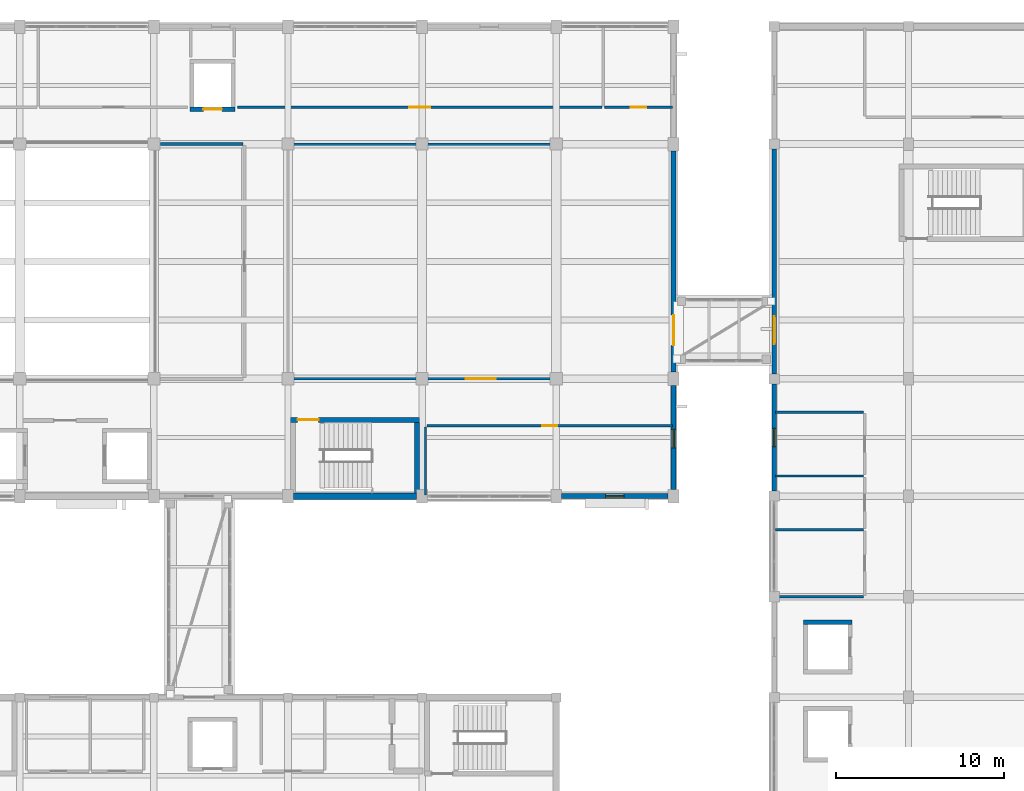
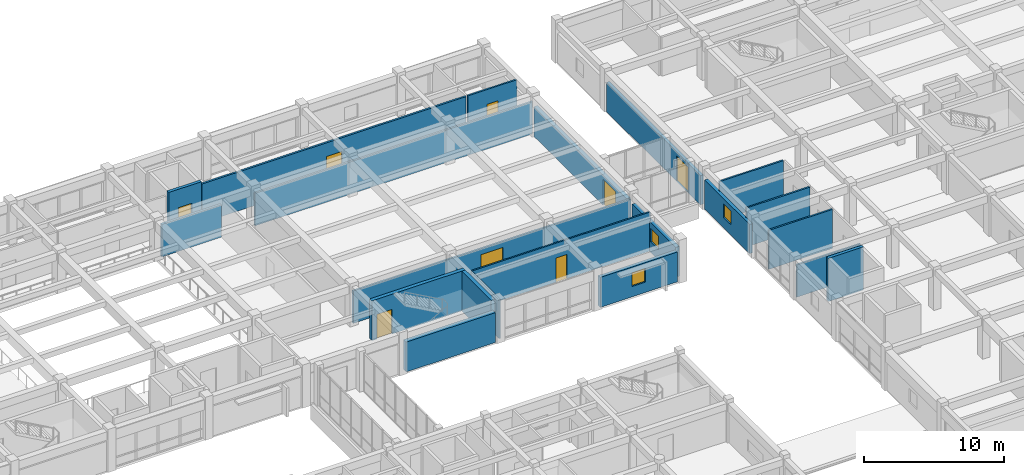
# One storey, part 30 of 42: 21 walls, 8 doors, 3 windows, 11 openings.
"""IFC4 building model written with IfcOpenShell, lengths in metres."""

from ifc_helpers import new_model, si_unit, direction, frame, frame_2d, origin, place, context, subcontext, project, spatial, rectangle, extrude, material, layer, layer_set, type_object, element, fill, save


model = new_model("IFC4")

# Units and contexts
model_context = context("Model", 3, precision=1e-05, world=origin(), true_north=direction((0.0, 1.0)))
body_context = subcontext(model_context, "Body", "Model", "MODEL_VIEW")
ifc_project = project(units=[si_unit("LENGTHUNIT", "METRE"), si_unit("AREAUNIT", "SQUARE_METRE"), si_unit("VOLUMEUNIT", "CUBIC_METRE"), si_unit("PLANEANGLEUNIT", "RADIAN"), si_unit("MASSUNIT", "GRAM", prefix="KILO")], contexts=[model_context])

# Site, building, storey
site_placement = place(None, origin())
site = spatial("IfcSite", under=ifc_project, at=site_placement, CompositionType="ELEMENT")
building_placement = place(site_placement, origin())
building = spatial("IfcBuilding", under=site, at=building_placement, Name="Naurynzar Civic Courthouse", CompositionType="ELEMENT")
storey_placement = place(building_placement, frame((0.0, 0.0, 18.300048828125)))
storey = spatial("IfcBuildingStorey", under=building, at=storey_placement, Name="L05", CompositionType="ELEMENT", Elevation=18.300048828125)

# Wall, opening, door
ifc_material_1 = material(Name="Acoustic Double-Stud Gypsum Partition")
ifc_layer_1 = layer(ifc_material_1, 0.14501953125)
ifc_layer_set_1 = layer_set([ifc_layer_1], Name="WL-ACOUSTIC-145")
wall_type_1 = type_object("IfcWallType", Name="WL-ACOUSTIC-145", PredefinedType="PARTITIONING", material=ifc_layer_set_1)
wall_1_placement = place(storey_placement, frame((101.080078125, 51.0, 0.0), z_axis=(0.0, 0.0, 1.0), x_axis=(1.0, 0.0, 0.0)))
wall_1 = element("IfcWall", 1, at=wall_1_placement, inside=storey, type_object=wall_type_1, Name="V2 interior partition L05.600", PredefinedType="PARTITIONING", context=body_context, shape_type="SweptSolid", body=[
    extrude(rectangle(XDim=22.83984375, YDim=0.14501953125, at=frame_2d((11.419921875, 0.0))), origin(), (0.0, 0.0, 1.0), 2.820068359375),
])
opening_1_placement = place(wall_1_placement, frame((10.52001953125, 0.0, 0.0)))
opening_1 = element("IfcOpeningElement", 2, at=opening_1_placement, cuts=wall_1, Name="Opening D-156", PredefinedType="OPENING", context=body_context, shape_type="SweptSolid", body=[
    extrude(rectangle(XDim=1.800048828125, YDim=2.300048828125, at=frame_2d((0.89990234375, 1.14990234375))), frame((0.0, 0.08251953125, 0.0), z_axis=(0.0, -1.0, 0.0), x_axis=(1.0, 0.0, 0.0)), (0.0, 0.0, 1.0), 0.1650390625),
])
ifc_material_2 = material(Name="Acoustic Oak Timber Grade A", Category="wood")
door_type_1 = type_object("IfcDoorType", Name="DR-COURT-DBL-1800x2300", OperationType="DOUBLE_DOOR_SINGLE_SWING", PredefinedType="DOOR", material=ifc_material_2)
door_1_placement = place(opening_1_placement, origin())
door_1 = element("IfcDoor", 3, at=door_1_placement, inside=storey, type_object=door_type_1, Name="Interior door D-156 (Civil Chamber Courtroom L05-E)", OperationType="DOUBLE_DOOR_SINGLE_SWING", OverallHeight=2.300048828125, OverallWidth=1.800048828125, PredefinedType="DOOR", context=body_context, shape_type="SweptSolid", body=[
    extrude(rectangle(XDim=1.800048828125, YDim=2.300048828125, at=frame_2d((0.89990234375, 1.14990234375))), frame((0.0, 0.02490234375, 0.0), z_axis=(0.0, -1.0, 0.0), x_axis=(1.0, 0.0, 0.0)), (0.0, 0.0, 1.0), 0.050048828125),
])
fill(opening_1, door_1)

# Wall
wall_2_placement = place(storey_placement, frame((101.080078125, 65.0, 0.0), z_axis=(0.0, 0.0, 1.0), x_axis=(1.0, 0.0, 0.0)))
element("IfcWall", 4, at=wall_2_placement, inside=storey, type_object=wall_type_1, Name="V2 interior partition L05.605", PredefinedType="PARTITIONING", context=body_context, shape_type="SweptSolid", body=[
    extrude(rectangle(XDim=22.83984375, YDim=0.14501953125, at=frame_2d((11.419921875, 0.0))), origin(), (0.0, 0.0, 1.0), 2.820068359375),
])

# Wall, opening, door
ifc_material_3 = material(Name="Concrete C40/50", Category="concrete")
ifc_layer_2 = layer(ifc_material_3, 0.300048828125)
ifc_layer_set_2 = layer_set([ifc_layer_2], Name="WL-CORE-300")
wall_type_2 = type_object("IfcWallType", Name="WL-CORE-300", PredefinedType="SHEAR", material=ifc_layer_set_2)
wall_3_placement = place(storey_placement, frame((108.85009765625, 48.550048828125, 0.0), z_axis=(0.0, 0.0, 1.0), x_axis=(-1.0, 0.0, 0.0)))
wall_3 = element("IfcWall", 5, at=wall_3_placement, inside=storey, type_object=wall_type_2, Name="Stair ST-V2B enclosure wall north L05", PredefinedType="SHEAR", context=body_context, shape_type="SweptSolid", body=[
    extrude(rectangle(XDim=7.7001953125, YDim=0.300048828125, at=frame_2d((3.85009765625, 0.0))), origin(), (0.0, 0.0, 1.0), 3.469970703125),
])
opening_2_placement = place(wall_3_placement, frame((6.02490234375, 0.0, 0.0)))
opening_2 = element("IfcOpeningElement", 6, at=opening_2_placement, cuts=wall_3, Name="Opening SD-039", PredefinedType="OPENING", context=body_context, shape_type="SweptSolid", body=[
    extrude(rectangle(XDim=1.25, YDim=2.14990234375, at=frame_2d((0.625, 1.074951171875))), frame((0.0, 0.159912109375, 0.0), z_axis=(0.0, -1.0, 0.0), x_axis=(1.0, 0.0, 0.0)), (0.0, 0.0, 1.0), 0.320068359375),
])
ifc_material_4 = material(Name="Powder-Coated Galvanised Steel", Category="steel")
door_type_2 = type_object("IfcDoorType", Name="DR-STAIR-1250x2150", OperationType="NOTDEFINED", PredefinedType="DOOR", material=ifc_material_4)
door_2_placement = place(opening_2_placement, origin())
door_2 = element("IfcDoor", 7, at=door_2_placement, inside=storey, type_object=door_type_2, Name="Stair ST-V2B fire door L05", OperationType="SINGLE_SWING_LEFT", OverallHeight=2.14990234375, OverallWidth=1.25, PredefinedType="DOOR", context=body_context, shape_type="SweptSolid", body=[
    extrude(rectangle(XDim=1.25, YDim=2.14990234375, at=frame_2d((0.625, 1.074951171875))), frame((0.0, 0.02490234375, 0.0), z_axis=(0.0, -1.0, 0.0), x_axis=(1.0, 0.0, 0.0)), (0.0, 0.0, 1.0), 0.050048828125),
])
fill(opening_2, door_2)

# Wall
wall_4_placement = place(storey_placement, frame((108.699951171875, 44.195068359375, 0.0), z_axis=(0.0, 0.0, 1.0), x_axis=(0.0, 1.0, 0.0)))
element("IfcWall", 8, at=wall_4_placement, inside=storey, type_object=wall_type_2, Name="Stair ST-V2B enclosure wall east L05", PredefinedType="SHEAR", context=body_context, shape_type="SweptSolid", body=[
    extrude(rectangle(XDim=4.199951171875, YDim=0.300048828125, at=frame_2d((2.10009765625, 0.0))), origin(), (0.0, 0.0, 1.0), 3.469970703125),
])

# Wall, opening, window
ifc_material_5 = material(Name="Precast concrete C40/50", Category="concrete")
ifc_layer_3 = layer(ifc_material_5, 0.260009765625)
ifc_layer_set_3 = layer_set([ifc_layer_3], Name="WL-EXT-260")
wall_type_3 = type_object("IfcWallType", Name="WL-EXT-260", PredefinedType="SOLIDWALL", material=ifc_layer_set_3)
wall_5_placement = place(storey_placement, frame((130.0, 44.300048828125, 0.0), z_axis=(0.0, 0.0, 1.0), x_axis=(0.0, 1.0, 0.0)))
wall_5 = element("IfcWall", 9, at=wall_5_placement, inside=storey, type_object=wall_type_3, Name="V5 exterior wall west L05.6.1", PredefinedType="SOLIDWALL", context=body_context, shape_type="SweptSolid", body=[
    extrude(rectangle(XDim=6.39990234375, YDim=0.260009765625, at=frame_2d((3.199951171875, 0.0))), origin(), (0.0, 0.0, 1.0), 2.550048828125),
])
opening_3_placement = place(wall_5_placement, frame((2.64990234375, 0.0, 0.89990234375)))
opening_3 = element("IfcOpeningElement", 10, at=opening_3_placement, cuts=wall_5, Name="Opening WN-15", PredefinedType="OPENING", context=body_context, shape_type="SweptSolid", body=[
    extrude(rectangle(XDim=1.10009765625, YDim=1.199951171875, at=frame_2d((0.550048828125, 0.60009765625))), frame((0.0, 0.139892578125, 0.0), z_axis=(0.0, -1.0, 0.0), x_axis=(1.0, 0.0, 0.0)), (0.0, 0.0, 1.0), 0.280029296875),
])
ifc_material_6 = material(Name="Tempered Laminated Low-E Glass", Category="glass")
window_type = type_object("IfcWindowType", Name="WIN-SEC-1100x1200", PartitioningType="SINGLE_PANEL", PredefinedType="WINDOW", material=ifc_material_6)
window_1_placement = place(opening_3_placement, origin())
window_1 = element("IfcWindow", 11, at=window_1_placement, inside=storey, type_object=window_type, Name="V5 window 322 L05", OverallHeight=1.199951171875, OverallWidth=1.10009765625, PartitioningType="SINGLE_PANEL", PredefinedType="WINDOW", context=body_context, shape_type="SweptSolid", body=[
    extrude(rectangle(XDim=1.10009765625, YDim=1.199951171875, at=frame_2d((0.550048828125, 0.60009765625))), frame((0.0, 0.030029296875, 0.0), z_axis=(0.0, -1.0, 0.0), x_axis=(1.0, 0.0, 0.0)), (0.0, 0.0, 1.0), 0.06005859375),
])
fill(opening_3, window_1)

# Wall, opening, door
wall_6_placement = place(storey_placement, frame((130.0, 51.300048828125, 0.0), z_axis=(0.0, 0.0, 1.0), x_axis=(0.0, 1.0, 0.0)))
wall_6 = element("IfcWall", 12, at=wall_6_placement, inside=storey, type_object=wall_type_3, Name="V5 exterior wall west L05.7.1", PredefinedType="SOLIDWALL", context=body_context, shape_type="SweptSolid", body=[
    extrude(rectangle(XDim=13.39990234375, YDim=0.260009765625, at=frame_2d((6.699951171875, 0.0))), origin(), (0.0, 0.0, 1.0), 2.550048828125),
])
opening_4_placement = place(wall_6_placement, frame((1.77490234375, 0.0, 0.0)))
opening_4 = element("IfcOpeningElement", 13, at=opening_4_placement, cuts=wall_6, Name="Opening BD-40", PredefinedType="OPENING", context=body_context, shape_type="SweptSolid", body=[
    extrude(rectangle(XDim=1.64990234375, YDim=2.199951171875, at=frame_2d((0.824951171875, 1.10009765625))), frame((0.0, 0.139892578125, 0.0), z_axis=(0.0, -1.0, 0.0), x_axis=(1.0, 0.0, 0.0)), (0.0, 0.0, 1.0), 0.280029296875),
])
ifc_material_7 = material(Name="Aluminium 6063-T6", Category="aluminium")
door_type_3 = type_object("IfcDoorType", Name="DR-BRG-1650x2200", OperationType="DOUBLE_DOOR_SINGLE_SWING", PredefinedType="DOOR", material=ifc_material_7)
door_3_placement = place(opening_4_placement, origin())
door_3 = element("IfcDoor", 14, at=door_3_placement, inside=storey, type_object=door_type_3, Name="Seismic bridge fire door BD-40", OperationType="DOUBLE_DOOR_SINGLE_SWING", OverallHeight=2.199951171875, OverallWidth=1.64990234375, PredefinedType="DOOR", context=body_context, shape_type="SweptSolid", body=[
    extrude(rectangle(XDim=1.64990234375, YDim=2.199951171875, at=frame_2d((0.824951171875, 1.10009765625))), frame((0.0, 0.02490234375, 0.0), z_axis=(0.0, -1.0, 0.0), x_axis=(1.0, 0.0, 0.0)), (0.0, 0.0, 1.0), 0.050048828125),
])
fill(opening_4, door_3)

ifc_material_8 = material(Name="Precast concrete C40/50", Category="concrete")
ifc_layer_4 = layer(ifc_material_8, 0.300048828125)
ifc_layer_set_4 = layer_set([ifc_layer_4], Name="WL-EXT-300")
wall_type_4 = type_object("IfcWallType", Name="WL-EXT-300", PredefinedType="SOLIDWALL", material=ifc_layer_set_4)
wall_7_placement = place(storey_placement, frame((124.0, 64.60009765625, 0.0), z_axis=(0.0, 0.0, 1.0), x_axis=(0.0, -1.0, 0.0)))
wall_7 = element("IfcWall", 15, at=wall_7_placement, inside=storey, type_object=wall_type_4, Name="V2 exterior wall east L05.2.1", PredefinedType="SOLIDWALL", context=body_context, shape_type="SweptSolid", body=[
    extrude(rectangle(XDim=13.2001953125, YDim=0.300048828125, at=frame_2d((6.60009765625, 0.0))), origin(), (0.0, 0.0, 1.0), 2.599853515625),
])
opening_5_placement = place(wall_7_placement, frame((9.800048828125, 0.0, 0.0)))
opening_5 = element("IfcOpeningElement", 16, at=opening_5_placement, cuts=wall_7, Name="Opening BD-17", PredefinedType="OPENING", context=body_context, shape_type="SweptSolid", body=[
    extrude(rectangle(XDim=1.800048828125, YDim=2.25, at=frame_2d((0.89990234375, 1.125))), frame((0.0, 0.159912109375, 0.0), z_axis=(0.0, -1.0, 0.0), x_axis=(1.0, 0.0, 0.0)), (0.0, 0.0, 1.0), 0.320068359375),
])
ifc_material_9 = material(Name="Aluminium 6063-T6", Category="aluminium")
door_type_4 = type_object("IfcDoorType", Name="DR-BRG-1800x2250", OperationType="DOUBLE_DOOR_SINGLE_SWING", PredefinedType="DOOR", material=ifc_material_9)
door_4_placement = place(opening_5_placement, origin())
door_4 = element("IfcDoor", 17, at=door_4_placement, inside=storey, type_object=door_type_4, Name="Seismic bridge fire door BD-17", OperationType="DOUBLE_DOOR_SINGLE_SWING", OverallHeight=2.25, OverallWidth=1.800048828125, PredefinedType="DOOR", context=body_context, shape_type="SweptSolid", body=[
    extrude(rectangle(XDim=1.800048828125, YDim=2.25, at=frame_2d((0.89990234375, 1.125))), frame((0.0, 0.02490234375, 0.0), z_axis=(0.0, -1.0, 0.0), x_axis=(1.0, 0.0, 0.0)), (0.0, 0.0, 1.0), 0.050048828125),
])
fill(opening_5, door_4)

# Wall, opening, window
wall_8_placement = place(storey_placement, frame((124.0, 50.60009765625, 0.0), z_axis=(0.0, 0.0, 1.0), x_axis=(0.0, -1.0, 0.0)))
wall_8 = element("IfcWall", 18, at=wall_8_placement, inside=storey, type_object=wall_type_4, Name="V2 exterior wall east L05.3.1", PredefinedType="SOLIDWALL", context=body_context, shape_type="SweptSolid", body=[
    extrude(rectangle(XDim=6.2001953125, YDim=0.300048828125, at=frame_2d((3.10009765625, 0.0))), origin(), (0.0, 0.0, 1.0), 2.599853515625),
])
opening_6_placement = place(wall_8_placement, frame((2.6201171875, 0.0, 0.89990234375)))
opening_6 = element("IfcOpeningElement", 19, at=opening_6_placement, cuts=wall_8, Name="Opening WN-15", PredefinedType="OPENING", context=body_context, shape_type="SweptSolid", body=[
    extrude(rectangle(XDim=1.10009765625, YDim=1.199951171875, at=frame_2d((0.550048828125, 0.60009765625))), frame((0.0, 0.159912109375, 0.0), z_axis=(0.0, -1.0, 0.0), x_axis=(1.0, 0.0, 0.0)), (0.0, 0.0, 1.0), 0.320068359375),
])
window_2_placement = place(opening_6_placement, origin())
window_2 = element("IfcWindow", 20, at=window_2_placement, inside=storey, type_object=window_type, Name="V2 window 90 L05", OverallHeight=1.199951171875, OverallWidth=1.10009765625, PartitioningType="SINGLE_PANEL", PredefinedType="WINDOW", context=body_context, shape_type="SweptSolid", body=[
    extrude(rectangle(XDim=1.10009765625, YDim=1.199951171875, at=frame_2d((0.550048828125, 0.60009765625))), frame((0.0, 0.030029296875, 0.0), z_axis=(0.0, -1.0, 0.0), x_axis=(1.0, 0.0, 0.0)), (0.0, 0.0, 1.0), 0.06005859375),
])
fill(opening_6, window_2)

wall_9_placement = place(storey_placement, frame((123.675048828125, 44.0, 0.0), z_axis=(0.0, 0.0, 1.0), x_axis=(-1.0, 0.0, 0.0)))
wall_9 = element("IfcWall", 21, at=wall_9_placement, inside=storey, type_object=wall_type_4, Name="V2 exterior wall south L05.1.1", PredefinedType="SOLIDWALL", context=body_context, shape_type="SweptSolid", body=[
    extrude(rectangle(XDim=6.35009765625, YDim=0.300048828125, at=frame_2d((3.175048828125, 0.0))), origin(), (0.0, 0.0, 1.0), 2.599853515625),
])
opening_7_placement = place(wall_9_placement, frame((2.625, 0.0, 0.89990234375)))
opening_7 = element("IfcOpeningElement", 22, at=opening_7_placement, cuts=wall_9, Name="Opening WN-15", PredefinedType="OPENING", context=body_context, shape_type="SweptSolid", body=[
    extrude(rectangle(XDim=1.10009765625, YDim=1.199951171875, at=frame_2d((0.550048828125, 0.60009765625))), frame((0.0, 0.159912109375, 0.0), z_axis=(0.0, -1.0, 0.0), x_axis=(1.0, 0.0, 0.0)), (0.0, 0.0, 1.0), 0.320068359375),
])
window_3_placement = place(opening_7_placement, origin())
window_3 = element("IfcWindow", 23, at=window_3_placement, inside=storey, type_object=window_type, Name="V2 window 91 L05", OverallHeight=1.199951171875, OverallWidth=1.10009765625, PartitioningType="SINGLE_PANEL", PredefinedType="WINDOW", context=body_context, shape_type="SweptSolid", body=[
    extrude(rectangle(XDim=1.10009765625, YDim=1.199951171875, at=frame_2d((0.550048828125, 0.60009765625))), frame((0.0, 0.030029296875, 0.0), z_axis=(0.0, -1.0, 0.0), x_axis=(1.0, 0.0, 0.0)), (0.0, 0.0, 1.0), 0.06005859375),
])
fill(opening_7, window_3)

# Wall, opening, door
ifc_material_10 = material(Name="Insulated Metal-Stud Gypsum Partition")
ifc_layer_5 = layer(ifc_material_10, 0.159912109375)
ifc_layer_set_5 = layer_set([ifc_layer_5], Name="WL-PART-CHAMB-160")
wall_type_5 = type_object("IfcWallType", Name="WL-PART-CHAMB-160", PredefinedType="PARTITIONING", material=ifc_layer_set_5)
wall_10_placement = place(storey_placement, frame((98.0, 67.199951171875, 0.0), z_axis=(0.0, 0.0, 1.0), x_axis=(1.0, 0.0, 0.0)))
wall_10 = element("IfcWall", 24, at=wall_10_placement, inside=storey, type_object=wall_type_5, Name="V2 interior partition L05.612", PredefinedType="PARTITIONING", context=body_context, shape_type="SweptSolid", body=[
    extrude(rectangle(XDim=21.719970703125, YDim=0.159912109375, at=frame_2d((10.85986328125, 0.0))), origin(), (0.0, 0.0, 1.0), 3.389892578125),
])
opening_8_placement = place(wall_10_placement, frame((10.22998046875, 0.0, 0.0)))
opening_8 = element("IfcOpeningElement", 25, at=opening_8_placement, cuts=wall_10, Name="Opening D-161", PredefinedType="OPENING", context=body_context, shape_type="SweptSolid", body=[
    extrude(rectangle(XDim=1.260009765625, YDim=2.199951171875, at=frame_2d((0.6298828125, 1.10009765625))), frame((0.0, 0.08984375, 0.0), z_axis=(0.0, -1.0, 0.0), x_axis=(1.0, 0.0, 0.0)), (0.0, 0.0, 1.0), 0.179931640625),
])
ifc_material_11 = material(Name="Acoustic Oak Timber Grade A", Category="wood")
door_type_5 = type_object("IfcDoorType", Name="DR-SUITE-1260x2200", OperationType="NOTDEFINED", PredefinedType="DOOR", material=ifc_material_11)
door_5_placement = place(opening_8_placement, origin())
door_5 = element("IfcDoor", 26, at=door_5_placement, inside=storey, type_object=door_type_5, Name="Interior door D-161 (Senior Judges' Chambers L05-E)", OperationType="SINGLE_SWING_LEFT", OverallHeight=2.199951171875, OverallWidth=1.260009765625, PredefinedType="DOOR", context=body_context, shape_type="SweptSolid", body=[
    extrude(rectangle(XDim=1.260009765625, YDim=2.199951171875, at=frame_2d((0.6298828125, 1.10009765625))), frame((0.0, 0.02490234375, 0.0), z_axis=(0.0, -1.0, 0.0), x_axis=(1.0, 0.0, 0.0)), (0.0, 0.0, 1.0), 0.050048828125),
])
fill(opening_8, door_5)

# Wall
ifc_material_12 = material(Name="Acoustic Double-Stud Gypsum Partition")
ifc_layer_6 = layer(ifc_material_12, 0.179931640625)
ifc_layer_set_6 = layer_set([ifc_layer_6], Name="WL-PART-JURY-180")
wall_type_6 = type_object("IfcWallType", Name="WL-PART-JURY-180", PredefinedType="PARTITIONING", material=ifc_layer_set_6)
wall_11_placement = place(storey_placement, frame((93.39990234375, 65.0, 0.0), z_axis=(0.0, 0.0, 1.0), x_axis=(1.0, 0.0, 0.0)))
element("IfcWall", 27, at=wall_11_placement, inside=storey, type_object=wall_type_6, Name="V2 interior partition L05.604", PredefinedType="PARTITIONING", context=body_context, shape_type="SweptSolid", body=[
    extrude(rectangle(XDim=4.920166015625, YDim=0.179931640625, at=frame_2d((2.4599609375, 0.0))), origin(), (0.0, 0.0, 1.0), 2.820068359375),
])

# Wall, opening, door
ifc_material_13 = material(Name="Metal-Stud Gypsum Partition")
ifc_layer_7 = layer(ifc_material_13, 0.125)
ifc_layer_set_7 = layer_set([ifc_layer_7], Name="WL-PART-STD-125")
wall_type_7 = type_object("IfcWallType", Name="WL-PART-STD-125", PredefinedType="PARTITIONING", material=ifc_layer_set_7)
wall_12_placement = place(storey_placement, frame((109.280029296875, 48.199951171875, 0.0), z_axis=(0.0, 0.0, 1.0), x_axis=(1.0, 0.0, 0.0)))
wall_12 = element("IfcWall", 28, at=wall_12_placement, inside=storey, type_object=wall_type_7, Name="V2 interior partition L05.596", PredefinedType="PARTITIONING", context=body_context, shape_type="SweptSolid", body=[
    extrude(rectangle(XDim=14.639892578125, YDim=0.125, at=frame_2d((7.31982421875, 0.0))), origin(), (0.0, 0.0, 1.0), 3.389892578125),
])
opening_9_placement = place(wall_12_placement, frame((6.8701171875, 0.0, 0.0)))
opening_9 = element("IfcOpeningElement", 29, at=opening_9_placement, cuts=wall_12, Name="Opening D-153", PredefinedType="OPENING", context=body_context, shape_type="SweptSolid", body=[
    extrude(rectangle(XDim=0.89990234375, YDim=2.10009765625, at=frame_2d((0.449951171875, 1.050048828125))), frame((0.0, 0.072509765625, 0.0), z_axis=(0.0, -1.0, 0.0), x_axis=(1.0, 0.0, 0.0)), (0.0, 0.0, 1.0), 0.14501953125),
])
ifc_material_14 = material(Name="Acoustic Oak Timber Grade A", Category="wood")
door_type_6 = type_object("IfcDoorType", Name="DR-SUITE-900x2100", OperationType="NOTDEFINED", PredefinedType="DOOR", material=ifc_material_14)
door_6_placement = place(opening_9_placement, origin())
door_6 = element("IfcDoor", 30, at=door_6_placement, inside=storey, type_object=door_type_6, Name="Interior door D-153 (Witness Waiting Room V2)", OperationType="SINGLE_SWING_LEFT", OverallHeight=2.10009765625, OverallWidth=0.89990234375, PredefinedType="DOOR", context=body_context, shape_type="SweptSolid", body=[
    extrude(rectangle(XDim=0.89990234375, YDim=2.10009765625, at=frame_2d((0.449951171875, 1.050048828125))), frame((0.0, 0.02490234375, 0.0), z_axis=(0.0, -1.0, 0.0), x_axis=(1.0, 0.0, 0.0)), (0.0, 0.0, 1.0), 0.050048828125),
])
fill(opening_9, door_6)

# Walls
wall_13_placement = place(storey_placement, frame((109.199951171875, 44.080078125, 0.0), z_axis=(0.0, 0.0, 1.0), x_axis=(0.0, 1.0, 0.0)))
element("IfcWall", 31, at=wall_13_placement, inside=storey, type_object=wall_type_7, Name="V2 interior partition L05.639", PredefinedType="PARTITIONING", context=body_context, shape_type="SweptSolid", body=[
    extrude(rectangle(XDim=4.0400390625, YDim=0.125, at=frame_2d((2.02001953125, 0.0))), origin(), (0.0, 0.0, 1.0), 3.389892578125),
])
ifc_material_15 = material(Name="Moisture-Resistant Plumbing Partition")
ifc_layer_8 = layer(ifc_material_15, 0.139892578125)
ifc_layer_set_8 = layer_set([ifc_layer_8], Name="WL-PART-WC-140")
wall_type_8 = type_object("IfcWallType", Name="WL-PART-WC-140", PredefinedType="PLUMBINGWALL", material=ifc_layer_set_8)
wall_14_placement = place(storey_placement, frame((130.080078125, 38.0, 0.0), z_axis=(0.0, 0.0, 1.0), x_axis=(1.0, 0.0, 0.0)))
element("IfcWall", 32, at=wall_14_placement, inside=storey, type_object=wall_type_8, Name="V5 interior partition L05.591", PredefinedType="PLUMBINGWALL", context=body_context, shape_type="SweptSolid", body=[
    extrude(rectangle(XDim=5.239990234375, YDim=0.139892578125, at=frame_2d((2.6201171875, 0.0))), origin(), (0.0, 0.0, 1.0), 2.820068359375),
])
for number, where, z_axis, x_axis, name in (
    (33, (130.080078125, 42.0, 0.0), (0.0, 0.0, 1.0), (1.0, 0.0, 0.0), "V5 interior partition L05.592"),
    (34, (130.080078125, 45.199951171875, 0.0), (0.0, 0.0, 1.0), (1.0, 0.0, 0.0), "V5 interior partition L05.593"),
    (35, (130.080078125, 49.0, 0.0), (0.0, 0.0, 1.0), (1.0, 0.0, 0.0), "V5 interior partition L05.597"),
):
    element("IfcWall", number, at=place(storey_placement, frame(where, z_axis=z_axis, x_axis=x_axis)), inside=storey, type_object=wall_type_8, Name=name, PredefinedType="PLUMBINGWALL", context=body_context, shape_type="SweptSolid", body=[
        extrude(rectangle(XDim=5.239990234375, YDim=0.139892578125, at=frame_2d((2.6201171875, 0.0))), origin(), (0.0, 0.0, 1.0), 3.389892578125),
    ])

# Wall, opening, door
wall_15_placement = place(storey_placement, frame((119.8798828125, 67.199951171875, 0.0), z_axis=(0.0, 0.0, 1.0), x_axis=(1.0, 0.0, 0.0)))
wall_15 = element("IfcWall", 36, at=wall_15_placement, inside=storey, type_object=wall_type_8, Name="V2 interior partition L05.613", PredefinedType="PLUMBINGWALL", context=body_context, shape_type="SweptSolid", body=[
    extrude(rectangle(XDim=4.0400390625, YDim=0.139892578125, at=frame_2d((2.02001953125, 0.0))), origin(), (0.0, 0.0, 1.0), 3.389892578125),
])
opening_10_placement = place(wall_15_placement, frame((1.56005859375, 0.0, 0.0)))
opening_10 = element("IfcOpeningElement", 37, at=opening_10_placement, cuts=wall_15, Name="Opening D-162", PredefinedType="OPENING", context=body_context, shape_type="SweptSolid", body=[
    extrude(rectangle(XDim=0.919921875, YDim=2.10009765625, at=frame_2d((0.4599609375, 1.050048828125))), frame((0.0, 0.079833984375, 0.0), z_axis=(0.0, -1.0, 0.0), x_axis=(1.0, 0.0, 0.0)), (0.0, 0.0, 1.0), 0.159912109375),
])
ifc_material_16 = material(Name="Acoustic Oak Timber Grade A", Category="wood")
door_type_7 = type_object("IfcDoorType", Name="DR-WC-STD-920x2100", OperationType="NOTDEFINED", PredefinedType="DOOR", material=ifc_material_16)
door_7_placement = place(opening_10_placement, origin())
door_7 = element("IfcDoor", 38, at=door_7_placement, inside=storey, type_object=door_type_7, Name="Interior door D-162 (Judicial Staff WC V2)", OperationType="SINGLE_SWING_RIGHT", OverallHeight=2.10009765625, OverallWidth=0.919921875, PredefinedType="DOOR", context=body_context, shape_type="SweptSolid", body=[
    extrude(rectangle(XDim=0.919921875, YDim=2.10009765625, at=frame_2d((0.4599609375, 1.050048828125))), frame((0.0, 0.02490234375, 0.0), z_axis=(0.0, -1.0, 0.0), x_axis=(1.0, 0.0, 0.0)), (0.0, 0.0, 1.0), 0.050048828125),
])
fill(opening_10, door_7)

# Wall
ifc_material_17 = material(Name="Concrete C40/50", Category="concrete")
ifc_layer_9 = layer(ifc_material_17, 0.3798828125)
ifc_layer_set_9 = layer_set([ifc_layer_9], Name="WL-RET-380")
wall_type_9 = type_object("IfcWallType", Name="WL-RET-380", PredefinedType="STANDARD", material=ifc_layer_set_9)
wall_16_placement = place(storey_placement, frame((108.675048828125, 44.0, 0.0), z_axis=(0.0, 0.0, 1.0), x_axis=(-1.0, 0.0, 0.0)))
element("IfcWall", 39, at=wall_16_placement, inside=storey, type_object=wall_type_9, Name="V2 exterior wall south L05.3.1", PredefinedType="STANDARD", context=body_context, shape_type="SweptSolid", body=[
    extrude(rectangle(XDim=7.35009765625, YDim=0.3798828125, at=frame_2d((3.675048828125, 0.0))), origin(), (0.0, 0.0, 1.0), 2.599853515625),
])

# Wall, opening, door
ifc_material_18 = material(Name="Concrete C40/50", Category="concrete")
ifc_layer_10 = layer(ifc_material_18, 0.25)
ifc_layer_set_10 = layer_set([ifc_layer_10], Name="WL-SHAFT-250")
wall_type_10 = type_object("IfcWallType", Name="WL-SHAFT-250", PredefinedType="SHEAR", material=ifc_layer_set_10)
wall_17_placement = place(storey_placement, frame((95.14990234375, 67.074951171875, 0.0), z_axis=(0.0, 0.0, 1.0), x_axis=(1.0, 0.0, 0.0)))
wall_17 = element("IfcWall", 40, at=wall_17_placement, inside=storey, type_object=wall_type_10, Name="Lift LJ-02 shaft wall south L05", PredefinedType="SHEAR", context=body_context, shape_type="SweptSolid", body=[
    extrude(rectangle(XDim=2.7001953125, YDim=0.25, at=frame_2d((1.35009765625, 0.0))), origin(), (0.0, 0.0, 1.0), 3.75),
])
opening_11_placement = place(wall_17_placement, frame((0.800048828125, 0.0, 0.0)))
opening_11 = element("IfcOpeningElement", 41, at=opening_11_placement, cuts=wall_17, Name="Opening LD-055", PredefinedType="OPENING", context=body_context, shape_type="SweptSolid", body=[
    extrude(rectangle(XDim=1.10009765625, YDim=2.14990234375, at=frame_2d((0.550048828125, 1.074951171875))), frame((0.0, 0.135009765625, 0.0), z_axis=(0.0, -1.0, 0.0), x_axis=(1.0, 0.0, 0.0)), (0.0, 0.0, 1.0), 0.27001953125),
])
ifc_material_19 = material(Name="Brushed Stainless Steel 304", Category="steel")
door_type_8 = type_object("IfcDoorType", Name="DR-LIFT-SLIDE-1100x2150", OperationType="DOUBLE_DOOR_SLIDING", PredefinedType="DOOR", material=ifc_material_19)
door_8_placement = place(opening_11_placement, origin())
door_8 = element("IfcDoor", 42, at=door_8_placement, inside=storey, type_object=door_type_8, Name="Lift LJ-02 sliding landing door L05", OperationType="DOUBLE_DOOR_SLIDING", OverallHeight=2.14990234375, OverallWidth=1.10009765625, PredefinedType="DOOR", context=body_context, shape_type="SweptSolid", body=[
    extrude(rectangle(XDim=1.10009765625, YDim=2.14990234375, at=frame_2d((0.550048828125, 1.074951171875))), frame((0.0, 0.02490234375, 0.0), z_axis=(0.0, -1.0, 0.0), x_axis=(1.0, 0.0, 0.0)), (0.0, 0.0, 1.0), 0.050048828125),
])
fill(opening_11, door_8)

# Wall
wall_18_placement = place(storey_placement, frame((134.64990234375, 36.47509765625, 0.0), z_axis=(0.0, 0.0, 1.0), x_axis=(-1.0, 0.0, 0.0)))
element("IfcWall", 43, at=wall_18_placement, inside=storey, type_object=wall_type_10, Name="Lift LP-05 shaft wall north L05", PredefinedType="SHEAR", context=body_context, shape_type="SweptSolid", body=[
    extrude(rectangle(XDim=2.89990234375, YDim=0.25, at=frame_2d((1.449951171875, 0.0))), origin(), (0.0, 0.0, 1.0), 3.75),
])

save(model, "model.ifc")
